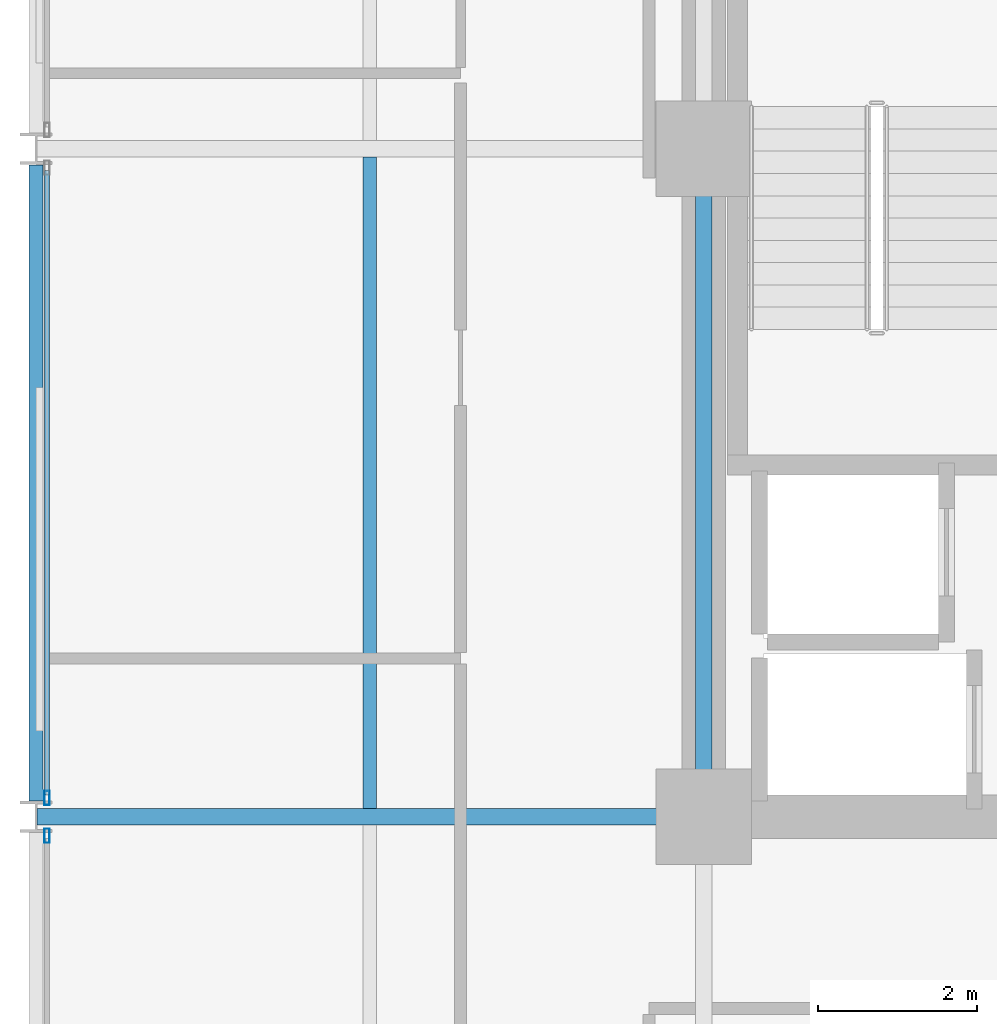
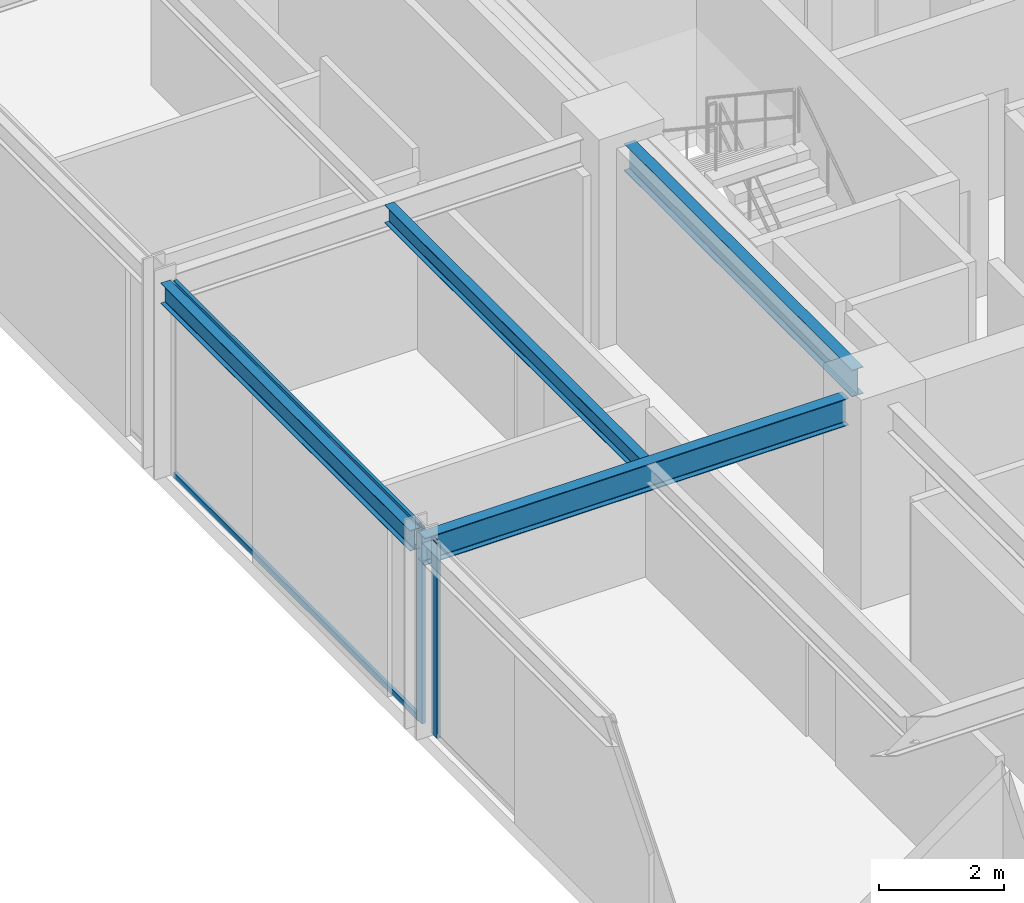
# One storey, part 10 of 29: 4 beams, 4 members, 2 elements without a shape of their own.
"""IFC4 building model written with IfcOpenShell, lengths in metres."""

from ifc_helpers import new_model, si_unit, direction, frame, origin, origin_2d, place, context, subcontext, project, spatial, hollow_rectangle, i_section, extrude, material, layer, layer_set, material_profile, profile_set, type_object, element, aggregate, save


model = new_model("IFC4")

# Units and contexts
model_context = context("Model", 3, precision=1e-05, world=origin(), true_north=direction((0.0, 1.0)))
body_context = subcontext(model_context, "Body", "Model", "MODEL_VIEW")
ifc_project = project(units=[si_unit("LENGTHUNIT", "METRE"), si_unit("AREAUNIT", "SQUARE_METRE"), si_unit("VOLUMEUNIT", "CUBIC_METRE"), si_unit("PLANEANGLEUNIT", "RADIAN"), si_unit("MASSUNIT", "GRAM", prefix="KILO")], contexts=[model_context])

# Site, building, storey
site_placement = place(None, origin())
site = spatial("IfcSite", under=ifc_project, at=site_placement, CompositionType="ELEMENT")
building_placement = place(site_placement, origin())
building = spatial("IfcBuilding", under=site, at=building_placement, Name="Nerrivon Quay Data Exchange", CompositionType="ELEMENT")
storey_placement = place(building_placement, frame((0.0, 0.0, 137.699951171875)))
storey = spatial("IfcBuildingStorey", under=building, at=storey_placement, Name="L32", CompositionType="ELEMENT", Elevation=137.699951171875)

# Beams
ifc_material_1 = material(Name="Steel Grade 350", Category="steel")
ifc_material_profile_1 = material_profile(ifc_material_1, i_section(OverallWidth=0.208984375, OverallDepth=0.532958984375, WebThickness=0.01025390625, FlangeThickness=0.015625, FilletRadius=0.013916015625, at=origin_2d()), Name="530UB92.4")
ifc_profile_set_1 = profile_set([ifc_material_profile_1], Name="Steel Grade 350")
beam_type_1 = type_object("IfcBeamType", Name="BM-G3-530UB92", PredefinedType="BEAM", material=ifc_profile_set_1)
beam_1_placement = place(storey_placement, frame((0.012451171875, 25.199951171875, 3.55859375), z_axis=(1.0, 0.0, 0.0), x_axis=(0.0, 1.0, 0.0)))
element("IfcBeam", 1, at=beam_1_placement, inside=storey, type_object=beam_type_1, Name="L32 EW Girder Y=25.2 (0.0..8.4)", PredefinedType="BEAM", context=body_context, shape_type="SweptSolid", body=[
    extrude(i_section(OverallWidth=0.208984375, OverallDepth=0.532958984375, WebThickness=0.01025390625, FlangeThickness=0.015625, FilletRadius=0.013916015625, at=origin_2d()), origin(), (0.0, 0.0, 1.0), 7.84765625),
])
ifc_material_profile_2 = material_profile(ifc_material_1, i_section(OverallWidth=0.208984375, OverallDepth=0.528076171875, WebThickness=0.009521484375, FlangeThickness=0.01318359375, FilletRadius=0.013916015625, at=origin_2d()), Name="530UB82.0")
ifc_profile_set_2 = profile_set([ifc_material_profile_2], Name="Steel Grade 350")
beam_type_2 = type_object("IfcBeamType", Name="BM-G4-530UB82", PredefinedType="BEAM", material=ifc_profile_set_2)
beam_2_placement = place(storey_placement, frame((8.39990234375, 25.739990234375, 3.56103515625), z_axis=(0.0, 1.0, 0.0), x_axis=(-1.0, 0.0, 0.0)))
element("IfcBeam", 2, at=beam_2_placement, inside=storey, type_object=beam_type_2, Name="L32 NS Girder X=8.4 (25.2..33.6)", PredefinedType="BEAM", context=body_context, shape_type="SweptSolid", body=[
    extrude(i_section(OverallWidth=0.208984375, OverallDepth=0.528076171875, WebThickness=0.009521484375, FlangeThickness=0.01318359375, FilletRadius=0.013916015625, at=origin_2d()), origin(), (0.0, 0.0, 1.0), 7.320068359375),
])
ifc_material_profile_3 = material_profile(ifc_material_1, i_section(OverallWidth=0.1708984375, OverallDepth=0.35595703125, WebThickness=0.00732421875, FlangeThickness=0.011474609375, FilletRadius=0.011474609375, at=origin_2d()), Name="360UB50.7")
ifc_profile_set_3 = profile_set([ifc_material_profile_3], Name="Steel Grade 350")
beam_type_3 = type_object("IfcBeamType", Name="BM-J4-360UB51", PredefinedType="JOIST", material=ifc_profile_set_3)
beam_3_placement = place(storey_placement, frame((4.199951171875, 25.304443359375, 3.64697265625), z_axis=(0.0, 1.0, 0.0), x_axis=(-1.0, 0.0, 0.0)))
element("IfcBeam", 3, at=beam_3_placement, inside=storey, type_object=beam_type_3, Name="L32 Secondary Joist X=4.2 (25.2..33.6)", PredefinedType="JOIST", context=body_context, shape_type="SweptSolid", body=[
    extrude(i_section(OverallWidth=0.1708984375, OverallDepth=0.35595703125, WebThickness=0.00732421875, FlangeThickness=0.011474609375, FilletRadius=0.011474609375, at=origin_2d()), origin(), (0.0, 0.0, 1.0), 8.191162109375),
])
ifc_material_profile_4 = material_profile(ifc_material_1, i_section(OverallWidth=0.177978515625, OverallDepth=0.403076171875, WebThickness=0.007568359375, FlangeThickness=0.010986328125, FilletRadius=0.011474609375, at=origin_2d()), Name="410UB53.7")
ifc_profile_set_4 = profile_set([ifc_material_profile_4], Name="Steel Grade 350")
beam_type_4 = type_object("IfcBeamType", Name="BM-SP2-410UB54", PredefinedType="SPANDREL", material=ifc_profile_set_4)
beam_4_placement = place(storey_placement, frame((0.0, 25.39990234375, 3.62353515625), z_axis=(0.0, 1.0, 0.0), x_axis=(-1.0, 0.0, 0.0)))
element("IfcBeam", 4, at=beam_4_placement, inside=storey, type_object=beam_type_4, Name="L32 NS Girder X=0.0 (25.2..33.6)", PredefinedType="SPANDREL", context=body_context, shape_type="SweptSolid", body=[
    extrude(i_section(OverallWidth=0.177978515625, OverallDepth=0.403076171875, WebThickness=0.007568359375, FlangeThickness=0.010986328125, FilletRadius=0.011474609375, at=origin_2d()), origin(), (0.0, 0.0, 1.0), 8.0),
])

# Curtain wall, member
ifc_material_2 = material(Name="Anodised aluminium 6063-T6", Category="aluminium")
ifc_layer = layer(ifc_material_2, 0.2099609375)
ifc_layer_set = layer_set([ifc_layer], Name="Anodised aluminium 6063-T6")
curtain_wall_type = type_object("IfcCurtainWallType", Name="CW-SYS-02", PredefinedType="NOTDEFINED", material=ifc_layer_set)
curtain_wall_1_placement = place(storey_placement, origin())
curtain_wall_1 = element("IfcCurtainWall", 5, at=curtain_wall_1_placement, inside=storey, type_object=curtain_wall_type, Name="L32 Unitised Curtain Wall 13", PredefinedType="NOTDEFINED")
ifc_material_profile_5 = material_profile(ifc_material_2, hollow_rectangle(XDim=0.06494140625, YDim=0.179931640625, WallThickness=0.00341796875, at=origin_2d()), Name="ALU-MULL-180x65")
ifc_profile_set_5 = profile_set([ifc_material_profile_5], Name="Anodised aluminium 6063-T6")
member_type_1 = type_object("IfcMemberType", Name="CWM-180x65", PredefinedType="MULLION", material=ifc_profile_set_5)
member_1_placement = place(storey_placement, frame((0.139892578125, 24.96240234375, 0.0), z_axis=(0.0, 0.0, 1.0), x_axis=(-1.0, 0.0, 0.0)))
member_1 = element("IfcMember", 6, at=member_1_placement, type_object=member_type_1, Name="CW02 mullion 2", PredefinedType="MULLION", context=body_context, shape_type="SweptSolid", body=[
    extrude(hollow_rectangle(XDim=0.06494140625, YDim=0.179931640625, WallThickness=0.00341796875, at=origin_2d()), origin(), (0.0, 0.0, 1.0), 3.824951171875),
])
aggregate(curtain_wall_1, [member_1])

# Curtain wall, members
curtain_wall_2_placement = place(storey_placement, origin())
curtain_wall_2 = element("IfcCurtainWall", 7, at=curtain_wall_2_placement, inside=storey, type_object=curtain_wall_type, Name="L32 Unitised Curtain Wall 14", PredefinedType="NOTDEFINED")
member_2_placement = place(storey_placement, frame((0.139892578125, 25.4375, 0.0), z_axis=(0.0, 0.0, 1.0), x_axis=(-1.0, 0.0, 0.0)))
member_2 = element("IfcMember", 8, at=member_2_placement, type_object=member_type_1, Name="CW02 mullion 1", PredefinedType="MULLION", context=body_context, shape_type="SweptSolid", body=[
    extrude(hollow_rectangle(XDim=0.06494140625, YDim=0.179931640625, WallThickness=0.00341796875, at=origin_2d()), origin(), (0.0, 0.0, 1.0), 3.824951171875),
])
ifc_material_profile_6 = material_profile(ifc_material_2, hollow_rectangle(XDim=0.06005859375, YDim=0.1201171875, WallThickness=0.003173828125, at=origin_2d()), Name="ALU-TRAN-120x60")
ifc_profile_set_6 = profile_set([ifc_material_profile_6], Name="Anodised aluminium 6063-T6")
member_type_2 = type_object("IfcMemberType", Name="CWT-120x60", PredefinedType="USERDEFINED", material=ifc_profile_set_6)
member_3_placement = place(storey_placement, frame((0.139892578125, 25.47509765625, 0.032470703125), z_axis=(0.0, 1.0, 0.0), x_axis=(-1.0, 0.0, 0.0)))
member_3 = element("IfcMember", 9, at=member_3_placement, type_object=member_type_2, Name="CW02 transom 1.1", ObjectType="TRANSOM", PredefinedType="USERDEFINED", context=body_context, shape_type="SweptSolid", body=[
    extrude(hollow_rectangle(XDim=0.06005859375, YDim=0.1201171875, WallThickness=0.003173828125, at=origin_2d()), origin(), (0.0, 0.0, 1.0), 7.849853515625),
])
member_4_placement = place(storey_placement, frame((0.139892578125, 25.47509765625, 3.79248046875), z_axis=(0.0, 1.0, 0.0), x_axis=(-1.0, 0.0, 0.0)))
member_4 = element("IfcMember", 10, at=member_4_placement, type_object=member_type_2, Name="CW02 transom 1.2", ObjectType="TRANSOM", PredefinedType="USERDEFINED", context=body_context, shape_type="SweptSolid", body=[
    extrude(hollow_rectangle(XDim=0.06005859375, YDim=0.1201171875, WallThickness=0.003173828125, at=origin_2d()), origin(), (0.0, 0.0, 1.0), 7.849853515625),
])
aggregate(curtain_wall_2, [member_2, member_3, member_4])

save(model, "model.ifc")
